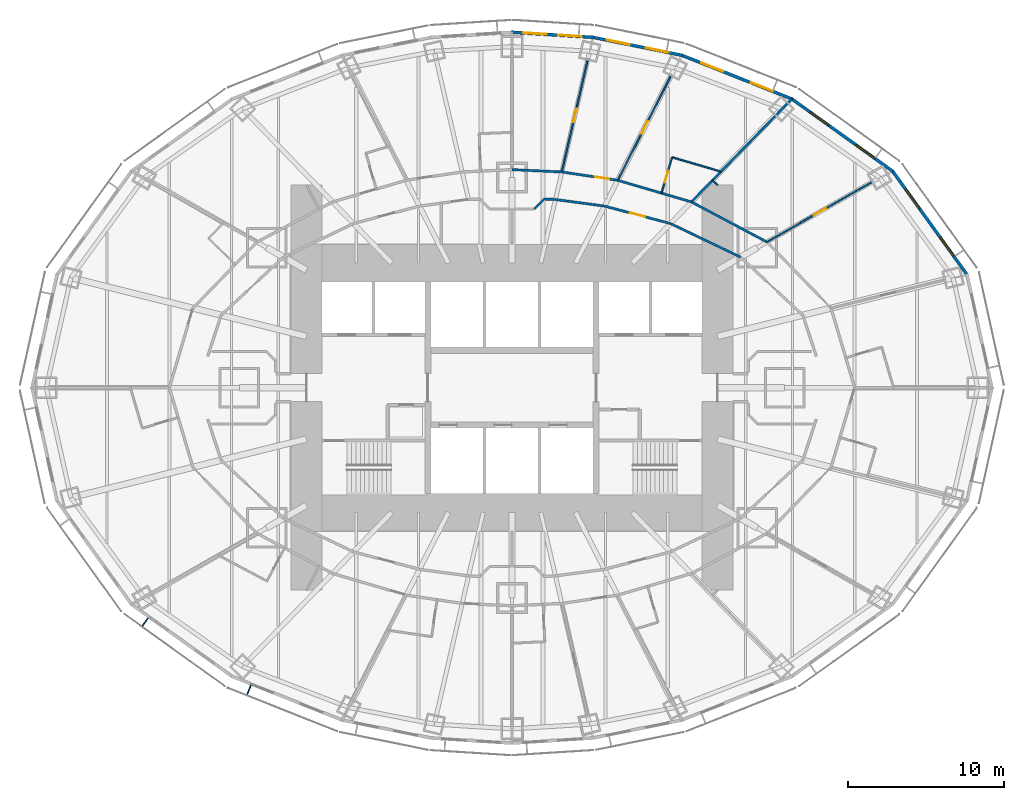
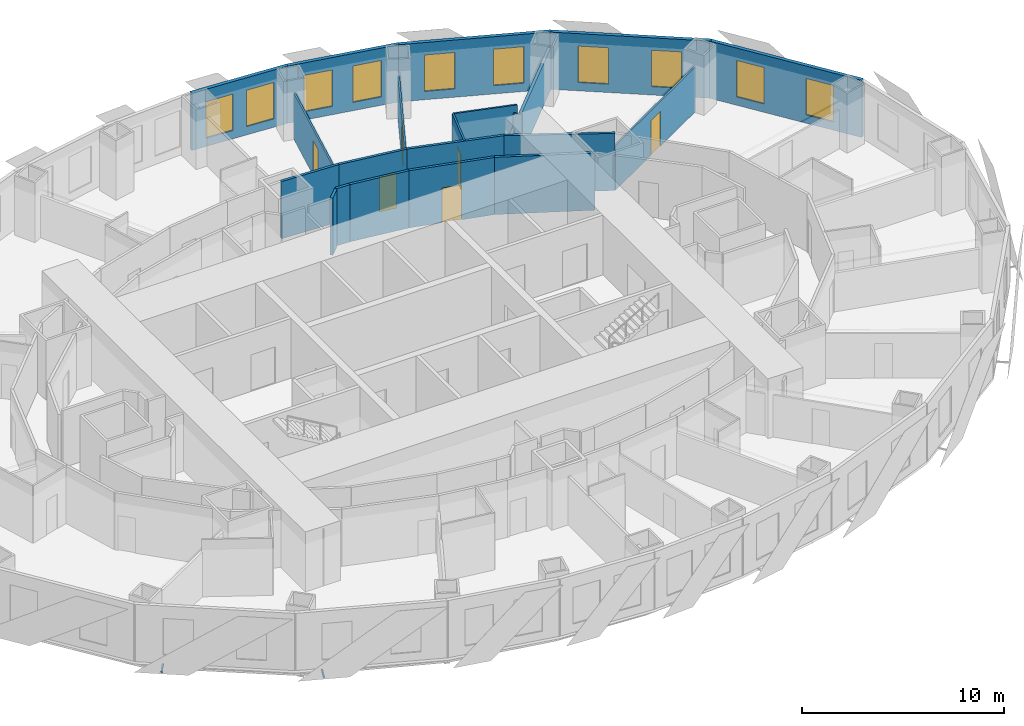
# One storey, part 10 of 15: 21 walls, 10 windows, 6 doors, 2 discrete accessories, 16 openings.
"""IFC4 building model written with IfcOpenShell, lengths in metres."""

from ifc_helpers import new_model, si_unit, direction, frame, frame_2d, origin, origin_2d, place, context, subcontext, project, spatial, rectangle, extrude, material, layer, layer_set, type_object, element, fill, save


model = new_model("IFC4")

# Units and contexts
model_context = context("Model", 3, precision=1e-05, world=origin(), true_north=direction((0.0, 1.0)))
body_context = subcontext(model_context, "Body", "Model", "MODEL_VIEW")
ifc_project = project(units=[si_unit("LENGTHUNIT", "METRE"), si_unit("AREAUNIT", "SQUARE_METRE"), si_unit("VOLUMEUNIT", "CUBIC_METRE"), si_unit("PLANEANGLEUNIT", "RADIAN"), si_unit("MASSUNIT", "GRAM", prefix="KILO")], contexts=[model_context])

# Site, building, storey
site_placement = place(None, origin())
site = spatial("IfcSite", under=ifc_project, at=site_placement, CompositionType="ELEMENT")
building_placement = place(site_placement, origin())
building = spatial("IfcBuilding", under=site, at=building_placement, Name="Lantaw Convention Tower", CompositionType="ELEMENT")
storey_placement = place(building_placement, frame((0.0, 0.0, 73.0)))
storey = spatial("IfcBuildingStorey", under=building, at=storey_placement, Name="L16", CompositionType="ELEMENT", Elevation=73.0)

# Wall, opening, door
ifc_material_1 = material(Name="Moisture resistant gypsum board on steel studs", Category="steel")
ifc_layer_1 = layer(ifc_material_1, 0.10009765625)
ifc_layer_set_1 = layer_set([ifc_layer_1], Name="Bathroom wall 100")
wall_type_1 = type_object("IfcWallType", Name="Bathroom wall 100", PredefinedType="PARTITIONING", material=ifc_layer_set_1)
wall_1_placement = place(storey_placement, frame((9.599609375, 12.4912109375, 0.0), z_axis=(0.0, 0.0, 1.0), x_axis=(0.281687126576, 0.959506311976, 0.0)))
wall_1 = element("IfcWall", 1, at=wall_1_placement, inside=storey, type_object=wall_type_1, Name="Bathroom wall 100", PredefinedType="PARTITIONING", context=body_context, shape_type="SweptSolid", body=[
    extrude(rectangle(XDim=2.39990234375, YDim=0.10009765625, at=frame_2d((1.199951171875, 0.0))), origin(), (0.0, 0.0, 1.0), 3.449951171875),
])
opening_1_placement = place(wall_1_placement, frame((0.699951171875, 0.0, 0.0)))
opening_1 = element("IfcOpeningElement", 2, at=opening_1_placement, cuts=wall_1, Name="Opening L16.29", PredefinedType="OPENING", context=body_context, shape_type="SweptSolid", body=[
    extrude(rectangle(XDim=0.800048828125, YDim=2.10009765625, at=frame_2d((0.39990234375, 1.050048828125))), frame((0.0, 0.06005859375, 0.0), z_axis=(0.0, -1.0, 0.0), x_axis=(1.0, 0.0, 0.0)), (0.0, 0.0, 1.0), 0.1201171875),
])
ifc_material_2 = material(Name="Timber", Category="wood")
door_type_1 = type_object("IfcDoorType", Name="Bathroom door 800", OperationType="SINGLE_SWING_LEFT", PredefinedType="DOOR", material=ifc_material_2)
door_1_placement = place(opening_1_placement, origin())
door_1 = element("IfcDoor", 3, at=door_1_placement, inside=storey, type_object=door_type_1, Name="Bathroom door", OperationType="SINGLE_SWING_LEFT", OverallHeight=2.10009765625, OverallWidth=0.800048828125, PredefinedType="DOOR", context=body_context, shape_type="SweptSolid", body=[
    extrude(rectangle(XDim=0.800048828125, YDim=2.10009765625, at=frame_2d((0.39990234375, 1.050048828125))), frame((0.0, 0.02490234375, 0.0), z_axis=(0.0, -1.0, 0.0), x_axis=(1.0, 0.0, 0.0)), (0.0, 0.0, 1.0), 0.050048828125),
])
fill(opening_1, door_1)

# Walls
wall_2_placement = place(storey_placement, frame((10.275634765625, 14.7939453125, 0.0), z_axis=(0.0, 0.0, 1.0), x_axis=(0.959495516486, -0.281723896473, 0.0)))
element("IfcWall", 4, at=wall_2_placement, inside=storey, type_object=wall_type_1, Name="Bathroom wall 100", PredefinedType="PARTITIONING", context=body_context, shape_type="SweptSolid", body=[
    extrude(rectangle(XDim=3.256591796875, YDim=0.10009765625, at=frame_2d((1.62841796875, 0.0))), origin(), (0.0, 0.0, 1.0), 3.449951171875),
])
ifc_material_3 = material(Name="Gypsum board on steel studs, fire rated", Category="steel")
ifc_layer_2 = layer(ifc_material_3, 0.14990234375)
ifc_layer_set_2 = layer_set([ifc_layer_2], Name="Corridor wall 150 EI 60")
wall_type_2 = type_object("IfcWallType", Name="Corridor wall 150 EI 60", PredefinedType="PARTITIONING", material=ifc_layer_set_2)
wall_3_placement = place(storey_placement, frame((16.369140625, 9.353759765625, 0.0), z_axis=(0.0, 0.0, 1.0), x_axis=(-0.883334368785, 0.468743419071, 0.0)))
element("IfcWall", 5, at=wall_3_placement, inside=storey, type_object=wall_type_2, Name="Corridor wall 150", PredefinedType="PARTITIONING", context=body_context, shape_type="SweptSolid", body=[
    extrude(rectangle(XDim=5.4912109375, YDim=0.14990234375, at=frame_2d((2.74560546875, 0.0))), origin(), (0.0, 0.0, 1.0), 3.449951171875),
])
wall_4_placement = place(storey_placement, frame((11.5185546875, 11.927734375, 0.0), z_axis=(0.0, 0.0, 1.0), x_axis=(-0.959496227294, 0.281721475589, 0.0)))
element("IfcWall", 6, at=wall_4_placement, inside=storey, type_object=wall_type_2, Name="Corridor wall 150", PredefinedType="PARTITIONING", context=body_context, shape_type="SweptSolid", body=[
    extrude(rectangle(XDim=4.9326171875, YDim=0.14990234375, at=frame_2d((2.46630859375, 0.0))), origin(), (0.0, 0.0, 1.0), 3.449951171875),
])

# Wall, opening, door
wall_5_placement = place(storey_placement, frame((6.78564453125, 13.3173828125, 0.0), z_axis=(0.0, 0.0, 1.0), x_axis=(-0.989107488999, 0.14719502439, 0.0)))
wall_5 = element("IfcWall", 7, at=wall_5_placement, inside=storey, type_object=wall_type_2, Name="Corridor wall 150", PredefinedType="PARTITIONING", context=body_context, shape_type="SweptSolid", body=[
    extrude(rectangle(XDim=3.62744140625, YDim=0.14990234375, at=frame_2d((1.813720703125, 0.0))), origin(), (0.0, 0.0, 1.0), 3.449951171875),
])
opening_2_placement = place(wall_5_placement, frame((0.554443359375, 0.0, 0.0)))
opening_2 = element("IfcOpeningElement", 8, at=opening_2_placement, cuts=wall_5, Name="Opening L16.32", PredefinedType="OPENING", context=body_context, shape_type="SweptSolid", body=[
    extrude(rectangle(XDim=0.89990234375, YDim=2.10009765625, at=frame_2d((0.449951171875, 1.050048828125))), frame((0.0, 0.0849609375, 0.0), z_axis=(0.0, -1.0, 0.0), x_axis=(1.0, 0.0, 0.0)), (0.0, 0.0, 1.0), 0.169921875),
])
ifc_material_4 = material(Name="Steel, fire rated", Category="steel")
door_type_2 = type_object("IfcDoorType", Name="Guest room entrance door FD30S", OperationType="SINGLE_SWING_LEFT", PredefinedType="DOOR", material=ifc_material_4)
door_2_placement = place(opening_2_placement, origin())
door_2 = element("IfcDoor", 9, at=door_2_placement, inside=storey, type_object=door_type_2, Name="Suite entrance door", OperationType="SINGLE_SWING_LEFT", OverallHeight=2.10009765625, OverallWidth=0.89990234375, PredefinedType="DOOR", context=body_context, shape_type="SweptSolid", body=[
    extrude(rectangle(XDim=0.89990234375, YDim=2.10009765625, at=frame_2d((0.449951171875, 1.050048828125))), frame((0.0, 0.02490234375, 0.0), z_axis=(0.0, -1.0, 0.0), x_axis=(1.0, 0.0, 0.0)), (0.0, 0.0, 1.0), 0.050048828125),
])
fill(opening_2, door_2)

# Walls
wall_6_placement = place(storey_placement, frame((3.19775390625, 13.851318359375, 0.0), z_axis=(0.0, 0.0, 1.0), x_axis=(-0.998920826789, 0.046445471333, 0.0)))
element("IfcWall", 10, at=wall_6_placement, inside=storey, type_object=wall_type_2, Name="Corridor wall 150", PredefinedType="PARTITIONING", context=body_context, shape_type="SweptSolid", body=[
    extrude(rectangle(XDim=3.201171875, YDim=0.14990234375, at=frame_2d((1.6005859375, 0.0))), origin(), (0.0, 0.0, 1.0), 3.449951171875),
])
wall_7_placement = place(storey_placement, frame((14.67333984375, 8.384765625, 0.0), z_axis=(0.0, 0.0, 1.0), x_axis=(-0.901869692799, 0.43200816799, 0.0)))
element("IfcWall", 11, at=wall_7_placement, inside=storey, type_object=wall_type_2, Name="Corridor wall 150", PredefinedType="PARTITIONING", context=body_context, shape_type="SweptSolid", body=[
    extrude(rectangle(XDim=4.985595703125, YDim=0.14990234375, at=frame_2d((2.49267578125, 0.0))), origin(), (0.0, 0.0, 1.0), 3.449951171875),
])

# Wall, opening, door
wall_8_placement = place(storey_placement, frame((10.177001953125, 10.53857421875, 0.0), z_axis=(0.0, 0.0, 1.0), x_axis=(-0.966672790407, 0.256015070428, 0.0)))
wall_8 = element("IfcWall", 12, at=wall_8_placement, inside=storey, type_object=wall_type_2, Name="Corridor wall 150", PredefinedType="PARTITIONING", context=body_context, shape_type="SweptSolid", body=[
    extrude(rectangle(XDim=4.3818359375, YDim=0.14990234375, at=frame_2d((2.19091796875, 0.0))), origin(), (0.0, 0.0, 1.0), 3.449951171875),
])
opening_3_placement = place(wall_8_placement, frame((1.69091796875, 0.0, 0.0)))
opening_3 = element("IfcOpeningElement", 13, at=opening_3_placement, cuts=wall_8, Name="Opening L16.17", PredefinedType="OPENING", context=body_context, shape_type="SweptSolid", body=[
    extrude(rectangle(XDim=1.0, YDim=2.10009765625, at=frame_2d((0.5, 1.050048828125))), frame((0.0, 0.0849609375, 0.0), z_axis=(0.0, -1.0, 0.0), x_axis=(1.0, 0.0, 0.0)), (0.0, 0.0, 1.0), 0.169921875),
])
door_type_3 = type_object("IfcDoorType", Name="Service door 1000 FD30", OperationType="SINGLE_SWING_LEFT", PredefinedType="DOOR", material=ifc_material_4)
door_3_placement = place(opening_3_placement, origin())
door_3 = element("IfcDoor", 14, at=door_3_placement, inside=storey, type_object=door_type_3, Name="Linen store door", OperationType="SINGLE_SWING_LEFT", OverallHeight=2.10009765625, OverallWidth=1.0, PredefinedType="DOOR", context=body_context, shape_type="SweptSolid", body=[
    extrude(rectangle(XDim=1.0, YDim=2.10009765625, at=frame_2d((0.5, 1.050048828125))), frame((0.0, 0.02490234375, 0.0), z_axis=(0.0, -1.0, 0.0), x_axis=(1.0, 0.0, 0.0)), (0.0, 0.0, 1.0), 0.050048828125),
])
fill(opening_3, door_3)

# Walls
wall_9_placement = place(storey_placement, frame((5.941162109375, 11.660400390625, 0.0), z_axis=(0.0, 0.0, 1.0), x_axis=(-0.991129053928, 0.13290296633, 0.0)))
element("IfcWall", 15, at=wall_9_placement, inside=storey, type_object=wall_type_2, Name="Corridor wall 150", PredefinedType="PARTITIONING", context=body_context, shape_type="SweptSolid", body=[
    extrude(rectangle(XDim=3.179931640625, YDim=0.14990234375, at=frame_2d((1.58984375, 0.0))), origin(), (0.0, 0.0, 1.0), 3.449951171875),
])
wall_10_placement = place(storey_placement, frame((2.78955078125, 12.0830078125, 0.0), z_axis=(0.0, 0.0, 1.0), x_axis=(-0.999116751279, 0.042020439232, 0.0)))
element("IfcWall", 16, at=wall_10_placement, inside=storey, type_object=wall_type_2, Name="Corridor wall 150", PredefinedType="PARTITIONING", context=body_context, shape_type="SweptSolid", body=[
    extrude(rectangle(XDim=0.75537109375, YDim=0.14990234375, at=frame_2d((0.377685546875, 0.0))), origin(), (0.0, 0.0, 1.0), 3.449951171875),
])
wall_11_placement = place(storey_placement, frame((2.00244140625, 12.052734375, 0.0), z_axis=(0.0, 0.0, 1.0), x_axis=(-0.707256164678, -0.706957366129, 0.0)))
element("IfcWall", 17, at=wall_11_placement, inside=storey, type_object=wall_type_2, Name="Corridor wall 150", PredefinedType="PARTITIONING", context=body_context, shape_type="SweptSolid", body=[
    extrude(rectangle(XDim=0.817138671875, YDim=0.14990234375, at=frame_2d((0.40869140625, 0.0))), origin(), (0.0, 0.0, 1.0), 3.449951171875),
])

# Wall, openings, windows
ifc_material_5 = material(Name="Insulated aluminium panel on steel frame", Category="steel")
ifc_layer_3 = layer(ifc_material_5, 0.199951171875)
ifc_layer_set_3 = layer_set([ifc_layer_3], Name="External wall 200")
wall_type_3 = type_object("IfcWallType", Name="External wall 200", PredefinedType="SOLIDWALL", material=ifc_layer_set_3)
wall_12_placement = place(storey_placement, frame((29.260498046875, 7.199951171875, 0.0), z_axis=(0.0, 0.0, 1.0), x_axis=(-0.583937613703, 0.811798536155, 0.0)))
wall_12 = element("IfcWall", 18, at=wall_12_placement, inside=storey, type_object=wall_type_3, Name="Facade panel wall", PredefinedType="SOLIDWALL", context=body_context, shape_type="SweptSolid", body=[
    extrude(rectangle(XDim=8.322998046875, YDim=0.199951171875, at=frame_2d((4.16162109375, 0.0))), origin(), (0.0, 0.0, 1.0), 3.449951171875),
])
opening_4_placement = place(wall_12_placement, frame((1.53076171875, 0.0, 0.5)))
opening_4 = element("IfcOpeningElement", 19, at=opening_4_placement, cuts=wall_12, Name="Opening W2", PredefinedType="OPENING", context=body_context, shape_type="SweptSolid", body=[
    extrude(rectangle(XDim=1.5, YDim=2.199951171875, at=frame_2d((0.75, 1.10009765625))), frame((0.0, 0.10986328125, 0.0), z_axis=(0.0, -1.0, 0.0), x_axis=(1.0, 0.0, 0.0)), (0.0, 0.0, 1.0), 0.219970703125),
])
opening_5_placement = place(wall_12_placement, frame((5.292236328125, 0.0, 0.5)))
opening_5 = element("IfcOpeningElement", 20, at=opening_5_placement, cuts=wall_12, Name="Opening W2", PredefinedType="OPENING", context=body_context, shape_type="SweptSolid", body=[
    extrude(rectangle(XDim=1.5, YDim=2.199951171875, at=frame_2d((0.75, 1.10009765625))), frame((0.0, 0.10986328125, 0.0), z_axis=(0.0, -1.0, 0.0), x_axis=(1.0, 0.0, 0.0)), (0.0, 0.0, 1.0), 0.219970703125),
])
ifc_material_6 = material(Name="Aluminium frame, clear insulating glass", Category="aluminium")
window_type = type_object("IfcWindowType", Name="Suite window 1500x2200", PartitioningType="SINGLE_PANEL", PredefinedType="WINDOW", material=ifc_material_6)
window_1_placement = place(opening_4_placement, origin())
window_1 = element("IfcWindow", 21, at=window_1_placement, inside=storey, type_object=window_type, Name="Guest room window", OverallHeight=2.199951171875, OverallWidth=1.5, PartitioningType="SINGLE_PANEL", PredefinedType="WINDOW", context=body_context, shape_type="SweptSolid", body=[
    extrude(rectangle(XDim=1.5, YDim=2.199951171875, at=frame_2d((0.75, 1.10009765625))), frame((0.0, 0.030029296875, 0.0), z_axis=(0.0, -1.0, 0.0), x_axis=(1.0, 0.0, 0.0)), (0.0, 0.0, 1.0), 0.06005859375),
])
fill(opening_4, window_1)
window_2_placement = place(opening_5_placement, origin())
window_2 = element("IfcWindow", 22, at=window_2_placement, inside=storey, type_object=window_type, Name="Guest room window", OverallHeight=2.199951171875, OverallWidth=1.5, PartitioningType="SINGLE_PANEL", PredefinedType="WINDOW", context=body_context, shape_type="SweptSolid", body=[
    extrude(rectangle(XDim=1.5, YDim=2.199951171875, at=frame_2d((0.75, 1.10009765625))), frame((0.0, 0.030029296875, 0.0), z_axis=(0.0, -1.0, 0.0), x_axis=(1.0, 0.0, 0.0)), (0.0, 0.0, 1.0), 0.06005859375),
])
fill(opening_5, window_2)

wall_13_placement = place(storey_placement, frame((24.482421875, 13.87451171875, 0.0), z_axis=(0.0, 0.0, 1.0), x_axis=(-0.812791321576, 0.582554948112, 0.0)))
wall_13 = element("IfcWall", 23, at=wall_13_placement, inside=storey, type_object=wall_type_3, Name="Facade panel wall", PredefinedType="SOLIDWALL", context=body_context, shape_type="SweptSolid", body=[
    extrude(rectangle(XDim=8.063232421875, YDim=0.199951171875, at=frame_2d((4.03173828125, 0.0))), origin(), (0.0, 0.0, 1.0), 3.449951171875),
])
opening_6_placement = place(wall_13_placement, frame((1.4658203125, 0.0, 0.5)))
opening_6 = element("IfcOpeningElement", 24, at=opening_6_placement, cuts=wall_13, Name="Opening W2", PredefinedType="OPENING", context=body_context, shape_type="SweptSolid", body=[
    extrude(rectangle(XDim=1.5, YDim=2.199951171875, at=frame_2d((0.75, 1.10009765625))), frame((0.0, 0.10986328125, 0.0), z_axis=(0.0, -1.0, 0.0), x_axis=(1.0, 0.0, 0.0)), (0.0, 0.0, 1.0), 0.219970703125),
])
opening_7_placement = place(wall_13_placement, frame((5.097412109375, 0.0, 0.5)))
opening_7 = element("IfcOpeningElement", 25, at=opening_7_placement, cuts=wall_13, Name="Opening W2", PredefinedType="OPENING", context=body_context, shape_type="SweptSolid", body=[
    extrude(rectangle(XDim=1.5, YDim=2.199951171875, at=frame_2d((0.75, 1.10009765625))), frame((0.0, 0.10986328125, 0.0), z_axis=(0.0, -1.0, 0.0), x_axis=(1.0, 0.0, 0.0)), (0.0, 0.0, 1.0), 0.219970703125),
])
window_3_placement = place(opening_6_placement, origin())
window_3 = element("IfcWindow", 26, at=window_3_placement, inside=storey, type_object=window_type, Name="Guest room window", OverallHeight=2.199951171875, OverallWidth=1.5, PartitioningType="SINGLE_PANEL", PredefinedType="WINDOW", context=body_context, shape_type="SweptSolid", body=[
    extrude(rectangle(XDim=1.5, YDim=2.199951171875, at=frame_2d((0.75, 1.10009765625))), frame((0.0, 0.030029296875, 0.0), z_axis=(0.0, -1.0, 0.0), x_axis=(1.0, 0.0, 0.0)), (0.0, 0.0, 1.0), 0.06005859375),
])
fill(opening_6, window_3)
window_4_placement = place(opening_7_placement, origin())
window_4 = element("IfcWindow", 27, at=window_4_placement, inside=storey, type_object=window_type, Name="Guest room window", OverallHeight=2.199951171875, OverallWidth=1.5, PartitioningType="SINGLE_PANEL", PredefinedType="WINDOW", context=body_context, shape_type="SweptSolid", body=[
    extrude(rectangle(XDim=1.5, YDim=2.199951171875, at=frame_2d((0.75, 1.10009765625))), frame((0.0, 0.030029296875, 0.0), z_axis=(0.0, -1.0, 0.0), x_axis=(1.0, 0.0, 0.0)), (0.0, 0.0, 1.0), 0.06005859375),
])
fill(opening_7, window_4)

wall_14_placement = place(storey_placement, frame((18.018310546875, 18.522705078125, 0.0), z_axis=(0.0, 0.0, 1.0), x_axis=(-0.929358351251, 0.369178892895, 0.0)))
wall_14 = element("IfcWall", 28, at=wall_14_placement, inside=storey, type_object=wall_type_3, Name="Facade panel wall", PredefinedType="SOLIDWALL", context=body_context, shape_type="SweptSolid", body=[
    extrude(rectangle(XDim=7.6923828125, YDim=0.199951171875, at=frame_2d((3.84619140625, 0.0))), origin(), (0.0, 0.0, 1.0), 3.449951171875),
])
opening_8_placement = place(wall_14_placement, frame((1.373046875, 0.0, 0.5)))
opening_8 = element("IfcOpeningElement", 29, at=opening_8_placement, cuts=wall_14, Name="Opening W2", PredefinedType="OPENING", context=body_context, shape_type="SweptSolid", body=[
    extrude(rectangle(XDim=1.5, YDim=2.199951171875, at=frame_2d((0.75, 1.10009765625))), frame((0.0, 0.10986328125, 0.0), z_axis=(0.0, -1.0, 0.0), x_axis=(1.0, 0.0, 0.0)), (0.0, 0.0, 1.0), 0.219970703125),
])
opening_9_placement = place(wall_14_placement, frame((4.819091796875, 0.0, 0.5)))
opening_9 = element("IfcOpeningElement", 30, at=opening_9_placement, cuts=wall_14, Name="Opening W2", PredefinedType="OPENING", context=body_context, shape_type="SweptSolid", body=[
    extrude(rectangle(XDim=1.5, YDim=2.199951171875, at=frame_2d((0.75, 1.10009765625))), frame((0.0, 0.10986328125, 0.0), z_axis=(0.0, -1.0, 0.0), x_axis=(1.0, 0.0, 0.0)), (0.0, 0.0, 1.0), 0.219970703125),
])
window_5_placement = place(opening_8_placement, origin())
window_5 = element("IfcWindow", 31, at=window_5_placement, inside=storey, type_object=window_type, Name="Guest room window", OverallHeight=2.199951171875, OverallWidth=1.5, PartitioningType="SINGLE_PANEL", PredefinedType="WINDOW", context=body_context, shape_type="SweptSolid", body=[
    extrude(rectangle(XDim=1.5, YDim=2.199951171875, at=frame_2d((0.75, 1.10009765625))), frame((0.0, 0.030029296875, 0.0), z_axis=(0.0, -1.0, 0.0), x_axis=(1.0, 0.0, 0.0)), (0.0, 0.0, 1.0), 0.06005859375),
])
fill(opening_8, window_5)
window_6_placement = place(opening_9_placement, origin())
window_6 = element("IfcWindow", 32, at=window_6_placement, inside=storey, type_object=window_type, Name="Guest room window", OverallHeight=2.199951171875, OverallWidth=1.5, PartitioningType="SINGLE_PANEL", PredefinedType="WINDOW", context=body_context, shape_type="SweptSolid", body=[
    extrude(rectangle(XDim=1.5, YDim=2.199951171875, at=frame_2d((0.75, 1.10009765625))), frame((0.0, 0.030029296875, 0.0), z_axis=(0.0, -1.0, 0.0), x_axis=(1.0, 0.0, 0.0)), (0.0, 0.0, 1.0), 0.06005859375),
])
fill(opening_9, window_6)

wall_15_placement = place(storey_placement, frame((10.956787109375, 21.336669921875, 0.0), z_axis=(0.0, 0.0, 1.0), x_axis=(-0.980251657452, 0.197754110105, 0.0)))
wall_15 = element("IfcWall", 33, at=wall_15_placement, inside=storey, type_object=wall_type_3, Name="Facade panel wall", PredefinedType="SOLIDWALL", context=body_context, shape_type="SweptSolid", body=[
    extrude(rectangle(XDim=5.90380859375, YDim=0.199951171875, at=frame_2d((2.951904296875, 0.0))), origin(), (0.0, 0.0, 1.0), 3.449951171875),
])
opening_10_placement = place(wall_15_placement, frame((0.92578125, 0.0, 0.5)))
opening_10 = element("IfcOpeningElement", 34, at=opening_10_placement, cuts=wall_15, Name="Opening W2", PredefinedType="OPENING", context=body_context, shape_type="SweptSolid", body=[
    extrude(rectangle(XDim=1.5, YDim=2.199951171875, at=frame_2d((0.75, 1.10009765625))), frame((0.0, 0.10986328125, 0.0), z_axis=(0.0, -1.0, 0.0), x_axis=(1.0, 0.0, 0.0)), (0.0, 0.0, 1.0), 0.219970703125),
])
opening_11_placement = place(wall_15_placement, frame((3.477783203125, 0.0, 0.5)))
opening_11 = element("IfcOpeningElement", 35, at=opening_11_placement, cuts=wall_15, Name="Opening W2", PredefinedType="OPENING", context=body_context, shape_type="SweptSolid", body=[
    extrude(rectangle(XDim=1.5, YDim=2.199951171875, at=frame_2d((0.75, 1.10009765625))), frame((0.0, 0.10986328125, 0.0), z_axis=(0.0, -1.0, 0.0), x_axis=(1.0, 0.0, 0.0)), (0.0, 0.0, 1.0), 0.219970703125),
])
window_7_placement = place(opening_10_placement, origin())
window_7 = element("IfcWindow", 36, at=window_7_placement, inside=storey, type_object=window_type, Name="Guest room window", OverallHeight=2.199951171875, OverallWidth=1.5, PartitioningType="SINGLE_PANEL", PredefinedType="WINDOW", context=body_context, shape_type="SweptSolid", body=[
    extrude(rectangle(XDim=1.5, YDim=2.199951171875, at=frame_2d((0.75, 1.10009765625))), frame((0.0, 0.030029296875, 0.0), z_axis=(0.0, -1.0, 0.0), x_axis=(1.0, 0.0, 0.0)), (0.0, 0.0, 1.0), 0.06005859375),
])
fill(opening_10, window_7)
window_8_placement = place(opening_11_placement, origin())
window_8 = element("IfcWindow", 37, at=window_8_placement, inside=storey, type_object=window_type, Name="Guest room window", OverallHeight=2.199951171875, OverallWidth=1.5, PartitioningType="SINGLE_PANEL", PredefinedType="WINDOW", context=body_context, shape_type="SweptSolid", body=[
    extrude(rectangle(XDim=1.5, YDim=2.199951171875, at=frame_2d((0.75, 1.10009765625))), frame((0.0, 0.030029296875, 0.0), z_axis=(0.0, -1.0, 0.0), x_axis=(1.0, 0.0, 0.0)), (0.0, 0.0, 1.0), 0.06005859375),
])
fill(opening_11, window_8)

wall_16_placement = place(storey_placement, frame((5.252685546875, 22.493408203125, 0.0), z_axis=(0.0, 0.0, 1.0), x_axis=(-0.998018582375, 0.062919863585, 0.0)))
wall_16 = element("IfcWall", 38, at=wall_16_placement, inside=storey, type_object=wall_type_3, Name="Facade panel wall", PredefinedType="SOLIDWALL", context=body_context, shape_type="SweptSolid", body=[
    extrude(rectangle(XDim=5.30419921875, YDim=0.199951171875, at=frame_2d((2.652099609375, 0.0))), origin(), (0.0, 0.0, 1.0), 3.449951171875),
])
opening_12_placement = place(wall_16_placement, frame((0.77587890625, 0.0, 0.5)))
opening_12 = element("IfcOpeningElement", 39, at=opening_12_placement, cuts=wall_16, Name="Opening W2", PredefinedType="OPENING", context=body_context, shape_type="SweptSolid", body=[
    extrude(rectangle(XDim=1.5, YDim=2.199951171875, at=frame_2d((0.75, 1.10009765625))), frame((0.0, 0.10986328125, 0.0), z_axis=(0.0, -1.0, 0.0), x_axis=(1.0, 0.0, 0.0)), (0.0, 0.0, 1.0), 0.219970703125),
])
opening_13_placement = place(wall_16_placement, frame((3.028076171875, 0.0, 0.5)))
opening_13 = element("IfcOpeningElement", 40, at=opening_13_placement, cuts=wall_16, Name="Opening W2", PredefinedType="OPENING", context=body_context, shape_type="SweptSolid", body=[
    extrude(rectangle(XDim=1.5, YDim=2.199951171875, at=frame_2d((0.75, 1.10009765625))), frame((0.0, 0.10986328125, 0.0), z_axis=(0.0, -1.0, 0.0), x_axis=(1.0, 0.0, 0.0)), (0.0, 0.0, 1.0), 0.219970703125),
])
window_9_placement = place(opening_12_placement, origin())
window_9 = element("IfcWindow", 41, at=window_9_placement, inside=storey, type_object=window_type, Name="Guest room window", OverallHeight=2.199951171875, OverallWidth=1.5, PartitioningType="SINGLE_PANEL", PredefinedType="WINDOW", context=body_context, shape_type="SweptSolid", body=[
    extrude(rectangle(XDim=1.5, YDim=2.199951171875, at=frame_2d((0.75, 1.10009765625))), frame((0.0, 0.030029296875, 0.0), z_axis=(0.0, -1.0, 0.0), x_axis=(1.0, 0.0, 0.0)), (0.0, 0.0, 1.0), 0.06005859375),
])
fill(opening_12, window_9)
window_10_placement = place(opening_13_placement, origin())
window_10 = element("IfcWindow", 42, at=window_10_placement, inside=storey, type_object=window_type, Name="Guest room window", OverallHeight=2.199951171875, OverallWidth=1.5, PartitioningType="SINGLE_PANEL", PredefinedType="WINDOW", context=body_context, shape_type="SweptSolid", body=[
    extrude(rectangle(XDim=1.5, YDim=2.199951171875, at=frame_2d((0.75, 1.10009765625))), frame((0.0, 0.030029296875, 0.0), z_axis=(0.0, -1.0, 0.0), x_axis=(1.0, 0.0, 0.0)), (0.0, 0.0, 1.0), 0.06005859375),
])
fill(opening_13, window_10)

# Walls
ifc_material_7 = material(Name="Gypsum board on steel studs, acoustic", Category="steel")
ifc_layer_4 = layer(ifc_material_7, 0.14990234375)
ifc_layer_set_4 = layer_set([ifc_layer_4], Name="Guest room party wall 150")
wall_type_4 = type_object("IfcWallType", Name="Guest room party wall 150", PredefinedType="PARTITIONING", material=ifc_layer_set_4)
wall_17_placement = place(storey_placement, frame((17.970458984375, 18.541748046875, 0.0), z_axis=(0.0, 0.0, 1.0), x_axis=(-0.698279935955, -0.715824790743, 0.0)))
element("IfcWall", 43, at=wall_17_placement, inside=storey, type_object=wall_type_4, Name="Guest room party wall 150", PredefinedType="PARTITIONING", context=body_context, shape_type="SweptSolid", body=[
    extrude(rectangle(XDim=9.23974609375, YDim=0.14990234375, at=frame_2d((4.619873046875, 0.0))), origin(), (0.0, 0.0, 1.0), 2.528076171875),
])
ifc_layer_5 = layer(ifc_material_7, 0.10009765625)
ifc_layer_set_5 = layer_set([ifc_layer_5], Name="Office partition 100")
wall_type_5 = type_object("IfcWallType", Name="Office partition 100", PredefinedType="PARTITIONING", material=ifc_layer_set_5)
wall_18_placement = place(storey_placement, frame((13.199951171875, 13.0, 0.0), z_axis=(0.0, 0.0, 1.0), x_axis=(-0.715906247499, 0.698196422786, 0.0)))
element("IfcWall", 44, at=wall_18_placement, inside=storey, type_object=wall_type_5, Name="Office partition 100", PredefinedType="PARTITIONING", context=body_context, shape_type="SweptSolid", body=[
    extrude(rectangle(XDim=0.454833984375, YDim=0.10009765625, at=frame_2d((0.2275390625, 0.0))), origin(), (0.0, 0.0, 1.0), 3.449951171875),
])

# Wall, opening, door
ifc_material_8 = material(Name="Gypsum board on steel studs", Category="steel")
ifc_layer_6 = layer(ifc_material_8, 0.10009765625)
ifc_layer_set_6 = layer_set([ifc_layer_6], Name="Suite partition 100")
wall_type_6 = type_object("IfcWallType", Name="Suite partition 100", PredefinedType="PARTITIONING", material=ifc_layer_set_6)
wall_19_placement = place(storey_placement, frame((23.1708984375, 13.240478515625, 0.0), z_axis=(0.0, 0.0, 1.0), x_axis=(-0.868243142124, -0.496138938357, 0.0)))
wall_19 = element("IfcWall", 45, at=wall_19_placement, inside=storey, type_object=wall_type_6, Name="Suite partition 100", PredefinedType="PARTITIONING", context=body_context, shape_type="SweptSolid", body=[
    extrude(rectangle(XDim=7.833984375, YDim=0.10009765625, at=frame_2d((3.9169921875, 0.0))), origin(), (0.0, 0.0, 1.0), 2.693115234375),
])
opening_14_placement = place(wall_19_placement, frame((3.467041015625, 0.0, 0.0)))
opening_14 = element("IfcOpeningElement", 46, at=opening_14_placement, cuts=wall_19, Name="Opening L16.27", PredefinedType="OPENING", context=body_context, shape_type="SweptSolid", body=[
    extrude(rectangle(XDim=0.89990234375, YDim=2.10009765625, at=frame_2d((0.449951171875, 1.050048828125))), frame((0.0, 0.06005859375, 0.0), z_axis=(0.0, -1.0, 0.0), x_axis=(1.0, 0.0, 0.0)), (0.0, 0.0, 1.0), 0.1201171875),
])
door_type_4 = type_object("IfcDoorType", Name="Suite door 900", OperationType="SINGLE_SWING_LEFT", PredefinedType="DOOR", material=ifc_material_2)
door_4_placement = place(opening_14_placement, origin())
door_4 = element("IfcDoor", 47, at=door_4_placement, inside=storey, type_object=door_type_4, Name="Kitchenette door", OperationType="SINGLE_SWING_LEFT", OverallHeight=2.10009765625, OverallWidth=0.89990234375, PredefinedType="DOOR", context=body_context, shape_type="SweptSolid", body=[
    extrude(rectangle(XDim=0.89990234375, YDim=2.10009765625, at=frame_2d((0.449951171875, 1.050048828125))), frame((0.0, 0.02490234375, 0.0), z_axis=(0.0, -1.0, 0.0), x_axis=(1.0, 0.0, 0.0)), (0.0, 0.0, 1.0), 0.050048828125),
])
fill(opening_14, door_4)

wall_20_placement = place(storey_placement, frame((10.235595703125, 20.08837890625, 0.0), z_axis=(0.0, 0.0, 1.0), x_axis=(-0.453985938962, -0.891008848006, 0.0)))
wall_20 = element("IfcWall", 48, at=wall_20_placement, inside=storey, type_object=wall_type_6, Name="Suite partition 100", PredefinedType="PARTITIONING", context=body_context, shape_type="SweptSolid", body=[
    extrude(rectangle(XDim=7.599365234375, YDim=0.10009765625, at=frame_2d((3.7998046875, 0.0))), origin(), (0.0, 0.0, 1.0), 2.528076171875),
])
opening_15_placement = place(wall_20_placement, frame((3.349609375, 0.0, 0.0)))
opening_15 = element("IfcOpeningElement", 49, at=opening_15_placement, cuts=wall_20, Name="Opening L16.30", PredefinedType="OPENING", context=body_context, shape_type="SweptSolid", body=[
    extrude(rectangle(XDim=0.89990234375, YDim=2.10009765625, at=frame_2d((0.449951171875, 1.050048828125))), frame((0.0, 0.06005859375, 0.0), z_axis=(0.0, -1.0, 0.0), x_axis=(1.0, 0.0, 0.0)), (0.0, 0.0, 1.0), 0.1201171875),
])
door_5_placement = place(opening_15_placement, origin())
door_5 = element("IfcDoor", 50, at=door_5_placement, inside=storey, type_object=door_type_4, Name="Bedroom door", OperationType="SINGLE_SWING_LEFT", OverallHeight=2.10009765625, OverallWidth=0.89990234375, PredefinedType="DOOR", context=body_context, shape_type="SweptSolid", body=[
    extrude(rectangle(XDim=0.89990234375, YDim=2.10009765625, at=frame_2d((0.449951171875, 1.050048828125))), frame((0.0, 0.02490234375, 0.0), z_axis=(0.0, -1.0, 0.0), x_axis=(1.0, 0.0, 0.0)), (0.0, 0.0, 1.0), 0.050048828125),
])
fill(opening_15, door_5)

wall_21_placement = place(storey_placement, frame((4.873779296875, 21.11083984375, 0.0), z_axis=(0.0, 0.0, 1.0), x_axis=(-0.224955233595, -0.97436909992, 0.0)))
wall_21 = element("IfcWall", 51, at=wall_21_placement, inside=storey, type_object=wall_type_6, Name="Suite partition 100", PredefinedType="PARTITIONING", context=body_context, shape_type="SweptSolid", body=[
    extrude(rectangle(XDim=7.450439453125, YDim=0.10009765625, at=frame_2d((3.72509765625, 0.0))), origin(), (0.0, 0.0, 1.0), 2.766845703125),
])
opening_16_placement = place(wall_21_placement, frame((3.275146484375, 0.0, 0.0)))
opening_16 = element("IfcOpeningElement", 52, at=opening_16_placement, cuts=wall_21, Name="Opening L16.31", PredefinedType="OPENING", context=body_context, shape_type="SweptSolid", body=[
    extrude(rectangle(XDim=0.89990234375, YDim=2.10009765625, at=frame_2d((0.449951171875, 1.050048828125))), frame((0.0, 0.06005859375, 0.0), z_axis=(0.0, -1.0, 0.0), x_axis=(1.0, 0.0, 0.0)), (0.0, 0.0, 1.0), 0.1201171875),
])
door_6_placement = place(opening_16_placement, origin())
door_6 = element("IfcDoor", 53, at=door_6_placement, inside=storey, type_object=door_type_4, Name="Kitchenette door", OperationType="SINGLE_SWING_LEFT", OverallHeight=2.10009765625, OverallWidth=0.89990234375, PredefinedType="DOOR", context=body_context, shape_type="SweptSolid", body=[
    extrude(rectangle(XDim=0.89990234375, YDim=2.10009765625, at=frame_2d((0.449951171875, 1.050048828125))), frame((0.0, 0.02490234375, 0.0), z_axis=(0.0, -1.0, 0.0), x_axis=(1.0, 0.0, 0.0)), (0.0, 0.0, 1.0), 0.050048828125),
])
fill(opening_16, door_6)

# Discrete accessories
for number, where, z_axis, x_axis, name in (
    (54, (-23.564453125, -15.06640625, -0.114990234375), (0.0, 0.0, 1.0), (0.812803733199, -0.5825376308, 0.0), "Screen bracket"),
    (55, (-16.898193359375, -19.4345703125, -0.114990234375), (0.0, 0.0, 1.0), (0.929361152748, -0.369171840425, 0.0), "Screen bracket"),
):
    element("IfcDiscreteAccessory", number, at=place(storey_placement, frame(where, z_axis=z_axis, x_axis=x_axis)), inside=storey, Name=name, PredefinedType="BRACKET", context=body_context, shape_type="SweptSolid", body=[
        extrude(rectangle(XDim=0.080078125, YDim=0.68798828125, at=origin_2d()), origin(), (0.0, 0.0, 1.0), 0.080078125),
    ])

save(model, "model.ifc")
